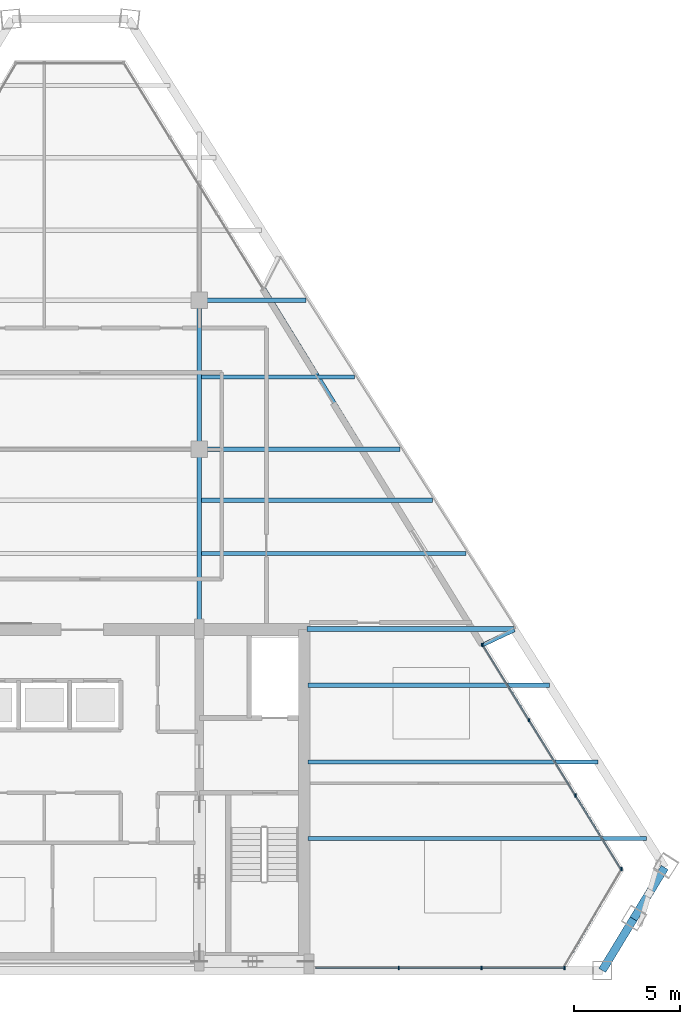
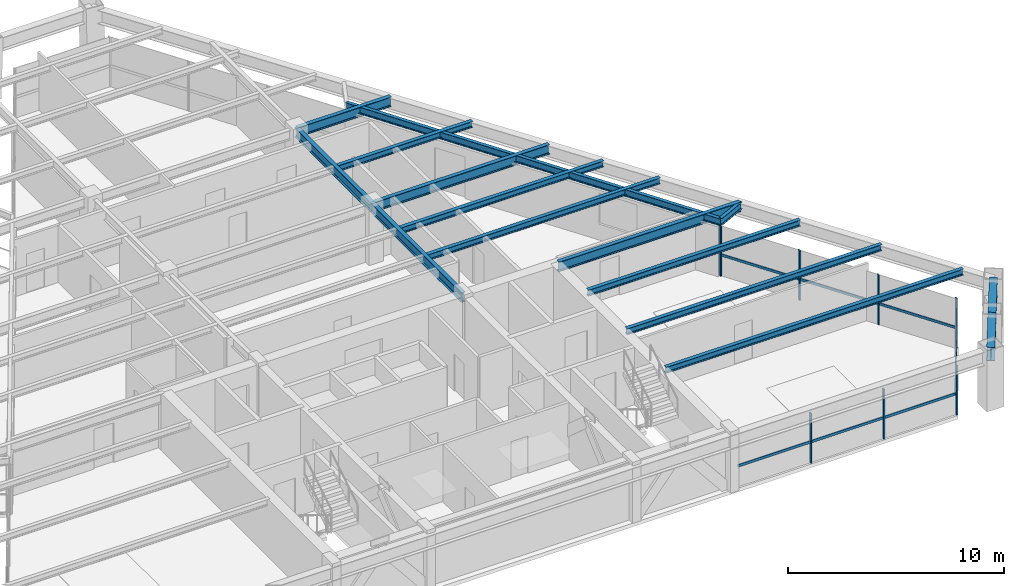
# One storey, part 5 of 14: 15 beams, 15 members, 3 elements without a shape of their own.
"""IFC4 building model written with IfcOpenShell, lengths in metres."""

from ifc_helpers import new_model, si_unit, direction, frame, origin, origin_2d, place, context, subcontext, project, spatial, rectangle, i_section, extrude, source, transform, mapped, material, material_profile, profile_set, type_object, type_shapes, element, aggregate, save


model = new_model("IFC4")

# Units and contexts
model_context = context("Model", 3, precision=1e-05, world=origin(), true_north=direction((0.0, 1.0)))
body_context = subcontext(model_context, "Body", "Model", "MODEL_VIEW")
ifc_project = project(units=[si_unit("LENGTHUNIT", "METRE"), si_unit("AREAUNIT", "SQUARE_METRE"), si_unit("VOLUMEUNIT", "CUBIC_METRE"), si_unit("PLANEANGLEUNIT", "RADIAN"), si_unit("MASSUNIT", "GRAM", prefix="KILO")], contexts=[model_context])

# Site, building, storey
site_placement = place(None, origin())
site = spatial("IfcSite", under=ifc_project, at=site_placement, CompositionType="ELEMENT")
building_placement = place(site_placement, origin())
building = spatial("IfcBuilding", under=site, at=building_placement, Name="Varnakhor Terracotta Tower", CompositionType="ELEMENT")
storey_placement = place(building_placement, frame((0.0, 0.0, 240.699951171875)))
storey = spatial("IfcBuildingStorey", under=building, at=storey_placement, Name="L62", CompositionType="ELEMENT", Elevation=240.699951171875)

# Beams
ifc_material_1 = material(Name="Steel S355", Category="steel")
ifc_material_profile_1 = material_profile(ifc_material_1, i_section(OverallWidth=0.214111328125, OverallDepth=0.549072265625, WebThickness=0.014892578125, FlangeThickness=0.02392578125, FilletRadius=0.01806640625, at=origin_2d()), Name="W21X93")
ifc_profile_set_1 = profile_set([ifc_material_profile_1], Name="Steel S355")
beam_type_1 = type_object("IfcBeamType", Name="BM-W21X93", PredefinedType="BEAM", material=ifc_profile_set_1)
shared_shape_1 = source(origin(), body_context, "Body", "SweptSolid", [
    extrude(i_section(OverallWidth=0.214111328125, OverallDepth=0.549072265625, WebThickness=0.014892578125, FlangeThickness=0.02392578125, FilletRadius=0.01806640625, at=origin_2d()), origin(), (0.0, 0.0, 1.0), 8.449951171875),
])
type_shapes(beam_type_1, [shared_shape_1])
beam_1_placement = place(storey_placement, frame((5.5, 16.050048828125, 2.965576171875), z_axis=(0.0, 1.0, 0.0), x_axis=(-1.0, 0.0, 0.0)))
element("IfcBeam", 1, at=beam_1_placement, inside=storey, type_object=beam_type_1, Name="L62 Primary Girder NS1-E", PredefinedType="BEAM", context=body_context, shape_type="MappedRepresentation", body=[
    mapped(shared_shape_1, transform((0.0, 0.0, 0.0), scale=1.0)),
])
shared_shape_2 = source(origin(), body_context, "Body", "SweptSolid", [
    extrude(i_section(OverallWidth=0.214111328125, OverallDepth=0.549072265625, WebThickness=0.014892578125, FlangeThickness=0.02392578125, FilletRadius=0.01806640625, at=origin_2d()), origin(), (0.0, 0.0, 1.0), 7.0),
])
beam_2_placement = place(storey_placement, frame((5.5, 24.5, 2.965576171875), z_axis=(0.0, 1.0, 0.0), x_axis=(-1.0, 0.0, 0.0)))
element("IfcBeam", 2, at=beam_2_placement, inside=storey, type_object=beam_type_1, Name="L62 Primary Girder NS2-E", PredefinedType="BEAM", context=body_context, shape_type="MappedRepresentation", body=[
    mapped(shared_shape_2, transform((0.0, 0.0, 0.0), scale=1.0)),
])
ifc_material_profile_2 = material_profile(ifc_material_1, i_section(OverallWidth=0.381103515625, OverallDepth=0.77294921875, WebThickness=0.01708984375, FlangeThickness=0.027099609375, FilletRadius=0.01806640625, at=origin_2d()), Name="W30X173")
ifc_profile_set_2 = profile_set([ifc_material_profile_2], Name="Steel S355")
beam_type_2 = type_object("IfcBeamType", Name="BM-W30X173", PredefinedType="BEAM", material=ifc_profile_set_2)
shared_shape_3 = source(origin(), body_context, "Body", "SweptSolid", [
    extrude(i_section(OverallWidth=0.381103515625, OverallDepth=0.77294921875, WebThickness=0.01708984375, FlangeThickness=0.027099609375, FilletRadius=0.01806640625, at=origin_2d()), origin(), (0.0, 0.0, 1.0), 2.829345703125),
])
beam_3_placement = place(storey_placement, frame((24.438232421875, 0.0, 2.853515625), z_axis=(0.518854284729, 0.85486269729, 0.0), x_axis=(-0.85486269729, 0.518854284729, 0.0)))
element("IfcBeam", 3, at=beam_3_placement, inside=storey, type_object=beam_type_2, Name="L62 Perimeter Spandrel 2", PredefinedType="BEAM", context=body_context, shape_type="MappedRepresentation", body=[
    mapped(shared_shape_3, transform((0.0, 0.0, 0.0), scale=1.0)),
])
shared_shape_4 = source(origin(), body_context, "Body", "SweptSolid", [
    extrude(i_section(OverallWidth=0.381103515625, OverallDepth=0.77294921875, WebThickness=0.01708984375, FlangeThickness=0.027099609375, FilletRadius=0.01806640625, at=origin_2d()), origin(), (0.0, 0.0, 1.0), 2.82958984375),
])
beam_4_placement = place(storey_placement, frame((25.90625, 2.418701171875, 2.853515625), z_axis=(0.518816013726, 0.854885924496, 0.0), x_axis=(-0.854885924496, 0.518816013726, 0.0)))
element("IfcBeam", 4, at=beam_4_placement, inside=storey, type_object=beam_type_2, Name="L62 Perimeter Spandrel 3", PredefinedType="BEAM", context=body_context, shape_type="MappedRepresentation", body=[
    mapped(shared_shape_4, transform((0.0, 0.0, 0.0), scale=1.0)),
])
ifc_material_profile_3 = material_profile(ifc_material_1, i_section(OverallWidth=0.179931640625, OverallDepth=0.39990234375, WebThickness=0.008544921875, FlangeThickness=0.013427734375, FilletRadius=0.01806640625, at=origin_2d()), Name="IPE400")
ifc_profile_set_3 = profile_set([ifc_material_profile_3], Name="Steel S355")
beam_type_3 = type_object("IfcBeamType", Name="JST-IPE400", PredefinedType="JOIST", material=ifc_profile_set_3)
shared_shape_5 = source(origin(), body_context, "Body", "SweptSolid", [
    extrude(i_section(OverallWidth=0.179931640625, OverallDepth=0.39990234375, WebThickness=0.008544921875, FlangeThickness=0.013427734375, FilletRadius=0.01806640625, at=origin_2d()), origin(), (0.0, 0.0, 1.0), 19.699462890625),
])
beam_5_placement = place(storey_placement, frame((18.827392578125, 15.306396484375, 3.0400390625), z_axis=(-0.523550368286, 0.851994725258, 0.0), x_axis=(-0.851994725258, -0.523550368286, 0.0)))
element("IfcBeam", 5, at=beam_5_placement, inside=storey, type_object=beam_type_3, Name="L62 Loggia Edge Beam 1", PredefinedType="JOIST", context=body_context, shape_type="MappedRepresentation", body=[
    mapped(shared_shape_5, transform((0.0, 0.0, 0.0), scale=1.0)),
])
shared_shape_6 = source(origin(), body_context, "Body", "SweptSolid", [
    extrude(i_section(OverallWidth=0.214111328125, OverallDepth=0.549072265625, WebThickness=0.014892578125, FlangeThickness=0.02392578125, FilletRadius=0.01806640625, at=origin_2d()), origin(), (0.0, 0.0, 1.0), 9.7333984375),
])
beam_6_placement = place(storey_placement, frame((10.550048828125, 16.050048828125, 2.965576171875), z_axis=(1.0, 0.0, 0.0), x_axis=(0.0, 1.0, 0.0)))
element("IfcBeam", 6, at=beam_6_placement, inside=storey, type_object=beam_type_1, Name="L62 Wing Girder E", PredefinedType="BEAM", context=body_context, shape_type="MappedRepresentation", body=[
    mapped(shared_shape_6, transform((0.0, 0.0, 0.0), scale=1.0)),
])
shared_shape_7 = source(origin(), body_context, "Body", "SweptSolid", [
    extrude(i_section(OverallWidth=0.214111328125, OverallDepth=0.549072265625, WebThickness=0.014892578125, FlangeThickness=0.02392578125, FilletRadius=0.01806640625, at=origin_2d()), origin(), (0.0, 0.0, 1.0), 9.439697265625),
])
beam_7_placement = place(storey_placement, frame((5.5, 24.5, 2.965576171875), z_axis=(1.0, 0.0, 0.0), x_axis=(0.0, 1.0, 0.0)))
element("IfcBeam", 7, at=beam_7_placement, inside=storey, type_object=beam_type_1, Name="L62 Primary Girder EW2-3", PredefinedType="BEAM", context=body_context, shape_type="MappedRepresentation", body=[
    mapped(shared_shape_7, transform((0.0, 0.0, 0.0), scale=1.0)),
])
shared_shape_8 = source(origin(), body_context, "Body", "SweptSolid", [
    extrude(i_section(OverallWidth=0.214111328125, OverallDepth=0.549072265625, WebThickness=0.014892578125, FlangeThickness=0.02392578125, FilletRadius=0.01806640625, at=origin_2d()), origin(), (0.0, 0.0, 1.0), 5.0126953125),
])
beam_8_placement = place(storey_placement, frame((5.5, 31.5, 2.965576171875), z_axis=(1.0, 0.0, 0.0), x_axis=(0.0, 1.0, 0.0)))
element("IfcBeam", 8, at=beam_8_placement, inside=storey, type_object=beam_type_1, Name="L62 Primary Girder EW3-3", PredefinedType="BEAM", context=body_context, shape_type="MappedRepresentation", body=[
    mapped(shared_shape_8, transform((0.0, 0.0, 0.0), scale=1.0)),
])
ifc_material_profile_4 = material_profile(ifc_material_1, i_section(OverallWidth=0.202880859375, OverallDepth=0.346923828125, WebThickness=0.0078125, FlangeThickness=0.013427734375, FilletRadius=0.01806640625, at=origin_2d()), Name="W14X43")
ifc_profile_set_4 = profile_set([ifc_material_profile_4], Name="Steel S355")
beam_type_4 = type_object("IfcBeamType", Name="JST-W14X43", PredefinedType="JOIST", material=ifc_profile_set_4)
shared_shape_9 = source(origin(), body_context, "Body", "SweptSolid", [
    extrude(i_section(OverallWidth=0.202880859375, OverallDepth=0.346923828125, WebThickness=0.0078125, FlangeThickness=0.013427734375, FilletRadius=0.01806640625, at=origin_2d()), origin(), (0.0, 0.0, 1.0), 15.91259765625),
])
beam_9_placement = place(storey_placement, frame((10.60009765625, 6.199951171875, 3.066650390625), z_axis=(1.0, 0.0, 0.0), x_axis=(0.0, 1.0, 0.0)))
element("IfcBeam", 9, at=beam_9_placement, inside=storey, type_object=beam_type_4, Name="L62 Floor Joist E1", PredefinedType="JOIST", context=body_context, shape_type="MappedRepresentation", body=[
    mapped(shared_shape_9, transform((0.0, 0.0, 0.0), scale=1.0)),
])
shared_shape_10 = source(origin(), body_context, "Body", "SweptSolid", [
    extrude(i_section(OverallWidth=0.202880859375, OverallDepth=0.346923828125, WebThickness=0.0078125, FlangeThickness=0.013427734375, FilletRadius=0.01806640625, at=origin_2d()), origin(), (0.0, 0.0, 1.0), 13.635986328125),
])
beam_10_placement = place(storey_placement, frame((10.60009765625, 9.800048828125, 3.066650390625), z_axis=(1.0, 0.0, 0.0), x_axis=(0.0, 1.0, 0.0)))
element("IfcBeam", 10, at=beam_10_placement, inside=storey, type_object=beam_type_4, Name="L62 Floor Joist E2", PredefinedType="JOIST", context=body_context, shape_type="MappedRepresentation", body=[
    mapped(shared_shape_10, transform((0.0, 0.0, 0.0), scale=1.0)),
])
shared_shape_11 = source(origin(), body_context, "Body", "SweptSolid", [
    extrude(i_section(OverallWidth=0.202880859375, OverallDepth=0.346923828125, WebThickness=0.0078125, FlangeThickness=0.013427734375, FilletRadius=0.01806640625, at=origin_2d()), origin(), (0.0, 0.0, 1.0), 11.359130859375),
])
beam_11_placement = place(storey_placement, frame((10.60009765625, 13.39990234375, 3.066650390625), z_axis=(1.0, 0.0, 0.0), x_axis=(0.0, 1.0, 0.0)))
element("IfcBeam", 11, at=beam_11_placement, inside=storey, type_object=beam_type_4, Name="L62 Floor Joist E3", PredefinedType="JOIST", context=body_context, shape_type="MappedRepresentation", body=[
    mapped(shared_shape_11, transform((0.0, 0.0, 0.0), scale=1.0)),
])
shared_shape_12 = source(origin(), body_context, "Body", "SweptSolid", [
    extrude(i_section(OverallWidth=0.202880859375, OverallDepth=0.346923828125, WebThickness=0.0078125, FlangeThickness=0.013427734375, FilletRadius=0.01806640625, at=origin_2d()), origin(), (0.0, 0.0, 1.0), 12.435302734375),
])
beam_12_placement = place(storey_placement, frame((5.60302734375, 19.60009765625, 3.066650390625), z_axis=(1.0, 0.0, 0.0), x_axis=(0.0, 1.0, 0.0)))
element("IfcBeam", 12, at=beam_12_placement, inside=storey, type_object=beam_type_4, Name="L62 Composite Floor Joist 4-3", PredefinedType="JOIST", context=body_context, shape_type="MappedRepresentation", body=[
    mapped(shared_shape_12, transform((0.0, 0.0, 0.0), scale=1.0)),
])
shared_shape_13 = source(origin(), body_context, "Body", "SweptSolid", [
    extrude(i_section(OverallWidth=0.202880859375, OverallDepth=0.346923828125, WebThickness=0.0078125, FlangeThickness=0.013427734375, FilletRadius=0.01806640625, at=origin_2d()), origin(), (0.0, 0.0, 1.0), 10.8544921875),
])
beam_13_placement = place(storey_placement, frame((5.60302734375, 22.10009765625, 3.066650390625), z_axis=(1.0, 0.0, 0.0), x_axis=(0.0, 1.0, 0.0)))
element("IfcBeam", 13, at=beam_13_placement, inside=storey, type_object=beam_type_4, Name="L62 Composite Floor Joist 5-3", PredefinedType="JOIST", context=body_context, shape_type="MappedRepresentation", body=[
    mapped(shared_shape_13, transform((0.0, 0.0, 0.0), scale=1.0)),
])
shared_shape_14 = source(origin(), body_context, "Body", "SweptSolid", [
    extrude(i_section(OverallWidth=0.202880859375, OverallDepth=0.346923828125, WebThickness=0.0078125, FlangeThickness=0.013427734375, FilletRadius=0.01806640625, at=origin_2d()), origin(), (0.0, 0.0, 1.0), 7.1865234375),
])
beam_14_placement = place(storey_placement, frame((5.60302734375, 27.89990234375, 3.066650390625), z_axis=(1.0, 0.0, 0.0), x_axis=(0.0, 1.0, 0.0)))
element("IfcBeam", 14, at=beam_14_placement, inside=storey, type_object=beam_type_4, Name="L62 Composite Floor Joist 6-3", PredefinedType="JOIST", context=body_context, shape_type="MappedRepresentation", body=[
    mapped(shared_shape_14, transform((0.0, 0.0, 0.0), scale=1.0)),
])

# Curtain wall, members
ifc_material_2 = material(Name="Anodised Aluminium Curtain Wall System", Category="aluminium")
curtain_wall_type = type_object("IfcCurtainWallType", Name="CW-SYS-HOTEL-LOGGIA", PredefinedType="NOTDEFINED", material=ifc_material_2)
curtain_wall_1_placement = place(storey_placement, origin())
curtain_wall_1 = element("IfcCurtainWall", 15, at=curtain_wall_1_placement, inside=storey, type_object=curtain_wall_type, Name="L62 E Facet Curtain Wall 2", PredefinedType="NOTDEFINED")
ifc_material_3 = material(Name="Anodised Aluminium 6063-T6", Category="aluminium")
ifc_material_profile_5 = material_profile(ifc_material_3, rectangle(XDim=0.06494140625, YDim=0.159912109375, at=origin_2d()), Name="ALU MULLION 65x160")
ifc_profile_set_5 = profile_set([ifc_material_profile_5], Name="Anodised Aluminium 6063-T6")
member_type_1 = type_object("IfcMemberType", Name="CWM-04", PredefinedType="MULLION", material=ifc_profile_set_5)
shared_shape_15 = source(origin(), body_context, "Body", "SweptSolid", [
    extrude(rectangle(XDim=0.06494140625, YDim=0.159912109375, at=origin_2d()), origin(), (0.0, 0.0, 1.0), 2.820068359375),
])
type_shapes(member_type_1, [shared_shape_15])
member_1_placement = place(storey_placement, frame((18.81640625, 15.294921875, 0.0), z_axis=(0.0, 0.0, 1.0), x_axis=(1.0, 0.0, 0.0)))
member_1 = element("IfcMember", 16, at=member_1_placement, type_object=member_type_1, Name="L62 E Facet Curtain Wall 2 Mullion 1", PredefinedType="MULLION", context=body_context, shape_type="MappedRepresentation", body=[
    mapped(shared_shape_15, transform((0.0, 0.0, 0.0), scale=1.0)),
])
member_2_placement = place(storey_placement, frame((20.993896484375, 11.76220703125, 0.0), z_axis=(0.0, 0.0, 1.0), x_axis=(1.0, 0.0, 0.0)))
member_2 = element("IfcMember", 17, at=member_2_placement, type_object=member_type_1, Name="L62 E Facet Curtain Wall 2 Mullion 2", PredefinedType="MULLION", context=body_context, shape_type="MappedRepresentation", body=[
    mapped(shared_shape_15, transform((0.0, 0.0, 0.0), scale=1.0)),
])
member_3_placement = place(storey_placement, frame((23.171630859375, 8.229248046875, 0.0), z_axis=(0.0, 0.0, 1.0), x_axis=(1.0, 0.0, 0.0)))
member_3 = element("IfcMember", 18, at=member_3_placement, type_object=member_type_1, Name="L62 E Facet Curtain Wall 2 Mullion 3", PredefinedType="MULLION", context=body_context, shape_type="MappedRepresentation", body=[
    mapped(shared_shape_15, transform((0.0, 0.0, 0.0), scale=1.0)),
])
member_4_placement = place(storey_placement, frame((18.783447265625, 15.309814453125, 0.0), z_axis=(0.0, 0.0, 1.0), x_axis=(1.0, 0.0, 0.0)))
member_4 = element("IfcMember", 19, at=member_4_placement, type_object=member_type_1, Name="L62 E Loggia Jamb Closure Mullion 2", PredefinedType="MULLION", context=body_context, shape_type="MappedRepresentation", body=[
    mapped(shared_shape_15, transform((0.0, 0.0, 0.0), scale=1.0)),
])

# Curtain wall, member
curtain_wall_2_placement = place(storey_placement, origin())
curtain_wall_2 = element("IfcCurtainWall", 20, at=curtain_wall_2_placement, inside=storey, type_object=curtain_wall_type, Name="L62 Facet Curtain Wall 4", PredefinedType="NOTDEFINED")
member_5_placement = place(storey_placement, frame((25.348388671875, 4.76904296875, 0.0), z_axis=(0.0, 0.0, 1.0), x_axis=(1.0, 0.0, 0.0)))
member_5 = element("IfcMember", 21, at=member_5_placement, type_object=member_type_1, Name="L62 Facet Curtain Wall 4 Mullion 1", PredefinedType="MULLION", context=body_context, shape_type="MappedRepresentation", body=[
    mapped(shared_shape_15, transform((0.0, 0.0, 0.0), scale=1.0)),
])

# Curtain wall, members
curtain_wall_3_placement = place(storey_placement, origin())
curtain_wall_3 = element("IfcCurtainWall", 22, at=curtain_wall_3_placement, inside=storey, type_object=curtain_wall_type, Name="L62 South Wing Curtain Wall SSE", PredefinedType="NOTDEFINED")
member_6_placement = place(storey_placement, frame((22.667236328125, 0.1201171875, 0.0), z_axis=(0.0, 0.0, 1.0), x_axis=(1.0, 0.0, 0.0)))
member_6 = element("IfcMember", 23, at=member_6_placement, type_object=member_type_1, Name="L62 South Wing Curtain Wall SSE Mullion 1", PredefinedType="MULLION", context=body_context, shape_type="MappedRepresentation", body=[
    mapped(shared_shape_15, transform((0.0, 0.0, 0.0), scale=1.0)),
])
member_7_placement = place(storey_placement, frame((18.76806640625, 0.1201171875, 0.0), z_axis=(0.0, 0.0, 1.0), x_axis=(1.0, 0.0, 0.0)))
member_7 = element("IfcMember", 24, at=member_7_placement, type_object=member_type_1, Name="L62 South Wing Curtain Wall SSE Mullion 2", PredefinedType="MULLION", context=body_context, shape_type="MappedRepresentation", body=[
    mapped(shared_shape_15, transform((0.0, 0.0, 0.0), scale=1.0)),
])
member_8_placement = place(storey_placement, frame((14.869140625, 0.1201171875, 0.0), z_axis=(0.0, 0.0, 1.0), x_axis=(1.0, 0.0, 0.0)))
member_8 = element("IfcMember", 25, at=member_8_placement, type_object=member_type_1, Name="L62 South Wing Curtain Wall SSE Mullion 3", PredefinedType="MULLION", context=body_context, shape_type="MappedRepresentation", body=[
    mapped(shared_shape_15, transform((0.0, 0.0, 0.0), scale=1.0)),
])

# Member
ifc_material_profile_6 = material_profile(ifc_material_3, rectangle(XDim=0.06494140625, YDim=0.14501953125, at=origin_2d()), Name="ALU TRANSOM 65x145")
ifc_profile_set_6 = profile_set([ifc_material_profile_6], Name="Anodised Aluminium 6063-T6")
member_type_2 = type_object("IfcMemberType", Name="CWT-04", PredefinedType="USERDEFINED", material=ifc_profile_set_6)
shared_shape_16 = source(origin(), body_context, "Body", "SweptSolid", [
    extrude(rectangle(XDim=0.06494140625, YDim=0.14501953125, at=origin_2d()), origin(), (0.0, 0.0, 1.0), 4.14990234375),
])
member_9_placement = place(storey_placement, frame((18.81640625, 15.294921875, 1.1845703125), z_axis=(0.524711098365, -0.851280367008, 0.0), x_axis=(0.851280367008, 0.524711098365, 0.0)))
member_9 = element("IfcMember", 26, at=member_9_placement, type_object=member_type_2, Name="L62 E Facet Curtain Wall 2 Transom 1", ObjectType="TRANSOM", PredefinedType="USERDEFINED", context=body_context, shape_type="MappedRepresentation", body=[
    mapped(shared_shape_16, transform((0.0, 0.0, 0.0), scale=1.0)),
])

member_10_placement = place(storey_placement, frame((23.171630859375, 8.229248046875, 1.1845703125), z_axis=(0.524711098365, -0.851280367008, 0.0), x_axis=(0.851280367008, 0.524711098365, 0.0)))
member_10 = element("IfcMember", 27, at=member_10_placement, type_object=member_type_2, Name="L62 E Facet Curtain Wall 2 Transom 3", ObjectType="TRANSOM", PredefinedType="USERDEFINED", context=body_context, shape_type="MappedRepresentation", body=[
    mapped(shared_shape_16, transform((0.0, 0.0, 0.0), scale=1.0)),
])

shared_shape_17 = source(origin(), body_context, "Body", "SweptSolid", [
    extrude(rectangle(XDim=0.06494140625, YDim=0.14501953125, at=origin_2d()), origin(), (0.0, 0.0, 1.0), 4.150146484375),
])
member_11_placement = place(storey_placement, frame((20.993896484375, 11.76220703125, 1.1845703125), z_axis=(0.524727452, -0.851270286759, 0.0), x_axis=(0.851270286759, 0.524727452, 0.0)))
member_11 = element("IfcMember", 28, at=member_11_placement, type_object=member_type_2, Name="L62 E Facet Curtain Wall 2 Transom 2", ObjectType="TRANSOM", PredefinedType="USERDEFINED", context=body_context, shape_type="MappedRepresentation", body=[
    mapped(shared_shape_17, transform((0.0, 0.0, 0.0), scale=1.0)),
])

aggregate(curtain_wall_1, [member_1, member_9, member_2, member_11, member_3, member_10, member_4])

shared_shape_18 = source(origin(), body_context, "Body", "SweptSolid", [
    extrude(rectangle(XDim=0.06494140625, YDim=0.14501953125, at=origin_2d()), origin(), (0.0, 0.0, 1.0), 5.434814453125),
])
member_12_placement = place(storey_placement, frame((25.348388671875, 4.76904296875, 1.1845703125), z_axis=(-0.507714933609, -0.861525128009, 0.0), x_axis=(0.861525128009, -0.507714933609, 0.0)))
member_12 = element("IfcMember", 29, at=member_12_placement, type_object=member_type_2, Name="L62 Facet Curtain Wall 4 Transom 1", ObjectType="TRANSOM", PredefinedType="USERDEFINED", context=body_context, shape_type="MappedRepresentation", body=[
    mapped(shared_shape_18, transform((0.0, 0.0, 0.0), scale=1.0)),
])

aggregate(curtain_wall_2, [member_5, member_12])

shared_shape_19 = source(origin(), body_context, "Body", "SweptSolid", [
    extrude(rectangle(XDim=0.06494140625, YDim=0.14501953125, at=origin_2d()), origin(), (0.0, 0.0, 1.0), 3.899169921875),
])
member_13_placement = place(storey_placement, frame((22.667236328125, 0.1201171875, 1.1845703125), z_axis=(-1.0, 0.0, 0.0), x_axis=(0.0, -1.0, 0.0)))
member_13 = element("IfcMember", 30, at=member_13_placement, type_object=member_type_2, Name="L62 South Wing Curtain Wall SSE Transom 1", ObjectType="TRANSOM", PredefinedType="USERDEFINED", context=body_context, shape_type="MappedRepresentation", body=[
    mapped(shared_shape_19, transform((0.0, 0.0, 0.0), scale=1.0)),
])

member_14_placement = place(storey_placement, frame((14.869140625, 0.1201171875, 1.1845703125), z_axis=(-1.0, 0.0, 0.0), x_axis=(0.0, -1.0, 0.0)))
member_14 = element("IfcMember", 31, at=member_14_placement, type_object=member_type_2, Name="L62 South Wing Curtain Wall SSE Transom 3", ObjectType="TRANSOM", PredefinedType="USERDEFINED", context=body_context, shape_type="MappedRepresentation", body=[
    mapped(shared_shape_19, transform((0.0, 0.0, 0.0), scale=1.0)),
])

shared_shape_20 = source(origin(), body_context, "Body", "SweptSolid", [
    extrude(rectangle(XDim=0.06494140625, YDim=0.14501953125, at=origin_2d()), origin(), (0.0, 0.0, 1.0), 3.89892578125),
])
member_15_placement = place(storey_placement, frame((18.76806640625, 0.1201171875, 1.1845703125), z_axis=(-1.0, 0.0, 0.0), x_axis=(0.0, -1.0, 0.0)))
member_15 = element("IfcMember", 32, at=member_15_placement, type_object=member_type_2, Name="L62 South Wing Curtain Wall SSE Transom 2", ObjectType="TRANSOM", PredefinedType="USERDEFINED", context=body_context, shape_type="MappedRepresentation", body=[
    mapped(shared_shape_20, transform((0.0, 0.0, 0.0), scale=1.0)),
])

aggregate(curtain_wall_3, [member_6, member_13, member_7, member_15, member_8, member_14])

# Beam
shared_shape_21 = source(origin(), body_context, "Body", "SweptSolid", [
    extrude(i_section(OverallWidth=0.179931640625, OverallDepth=0.39990234375, WebThickness=0.008544921875, FlangeThickness=0.013427734375, FilletRadius=0.01806640625, at=origin_2d()), origin(), (0.0, 0.0, 1.0), 1.640380859375),
])
beam_15_placement = place(storey_placement, frame((18.827392578125, 15.306396484375, 3.0400390625), z_axis=(0.904176798429, 0.427158421645, 0.0), x_axis=(-0.427158421645, 0.904176798429, 0.0)))
element("IfcBeam", 33, at=beam_15_placement, inside=storey, type_object=beam_type_3, Name="L63 E Loggia Tie Beam 2", PredefinedType="JOIST", context=body_context, shape_type="MappedRepresentation", body=[
    mapped(shared_shape_21, transform((0.0, 0.0, 0.0), scale=1.0)),
])

save(model, "model.ifc")
